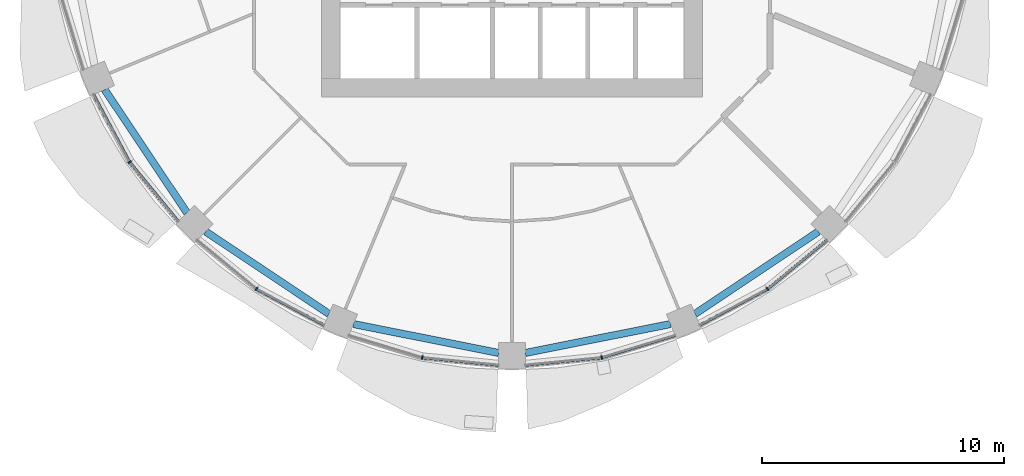
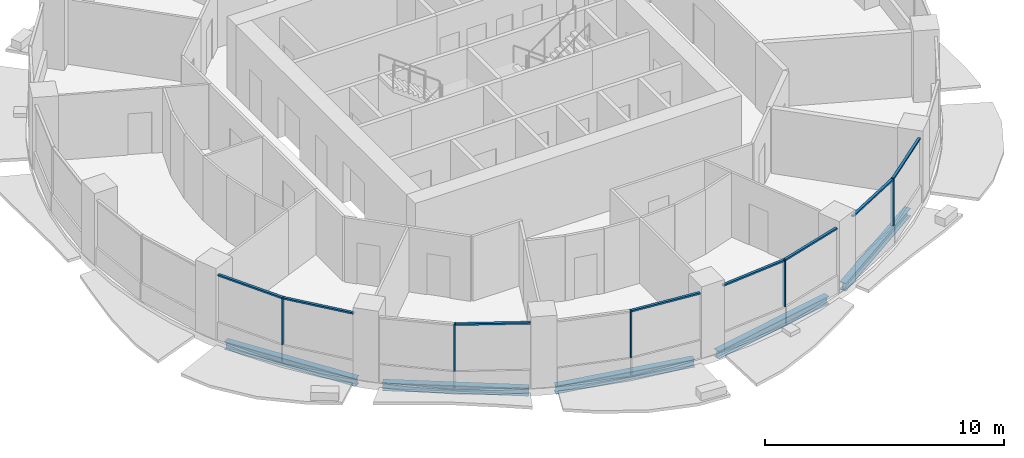
# One storey, part 2 of 14: 13 members, 5 beams, 5 elements without a shape of their own.
"""IFC4 building model written with IfcOpenShell, lengths in metres."""

from ifc_helpers import new_model, si_unit, direction, frame, origin, origin_2d, place, context, subcontext, project, spatial, rectangle, i_section, extrude, material, material_profile, profile_set, type_object, element, aggregate, save


model = new_model("IFC4")

# Units and contexts
model_context = context("Model", 3, precision=1e-05, world=origin(), true_north=direction((0.0, 1.0)))
body_context = subcontext(model_context, "Body", "Model", "MODEL_VIEW")
ifc_project = project(units=[si_unit("LENGTHUNIT", "METRE"), si_unit("AREAUNIT", "SQUARE_METRE"), si_unit("VOLUMEUNIT", "CUBIC_METRE"), si_unit("PLANEANGLEUNIT", "RADIAN"), si_unit("MASSUNIT", "GRAM", prefix="KILO")], contexts=[model_context])

# Site, building, storey
site_placement = place(None, origin())
site = spatial("IfcSite", under=ifc_project, at=site_placement, CompositionType="ELEMENT")
building_placement = place(site_placement, origin())
building = spatial("IfcBuilding", under=site, at=building_placement, Name="Polderwave Tower", CompositionType="ELEMENT")
storey_placement = place(building_placement, frame((0.0, 0.0, 112.89990234375)))
storey = spatial("IfcBuildingStorey", under=building, at=storey_placement, Name="L29", CompositionType="ELEMENT", Elevation=112.89990234375)

# Curtain wall, member
ifc_material_1 = material(Name="Aluminium 6063-T6 and glass", Category="aluminium")
curtain_wall_type = type_object("IfcCurtainWallType", Name="Growing floor ribbon glazing wall", PredefinedType="NOTDEFINED", material=ifc_material_1)
curtain_wall_1_placement = place(storey_placement, origin())
curtain_wall_1 = element("IfcCurtainWall", 1, at=curtain_wall_1_placement, inside=storey, type_object=curtain_wall_type, Name="CW2 L29 09", PredefinedType="NOTDEFINED")
ifc_material_2 = material(Name="Aluminium 6063-T6", Category="aluminium")
ifc_material_profile_1 = material_profile(ifc_material_2, rectangle(XDim=0.14990234375, YDim=0.06005859375, at=origin_2d()), Name="AL 60x150")
ifc_profile_set_1 = profile_set([ifc_material_profile_1], Name="Aluminium 6063-T6")
member_type_1 = type_object("IfcMemberType", Name="Growing floor ribbon glazing mullion 60x150", PredefinedType="MULLION", material=ifc_profile_set_1)
member_1_placement = place(storey_placement, frame((-15.822998046875, -10.572998046875, 0.900146484375), z_axis=(0.0, 0.0, 1.0), x_axis=(0.831459915646, 0.555584744817, 0.0)))
member_1 = element("IfcMember", 2, at=member_1_placement, type_object=member_type_1, Name="CW2 mullion 1", PredefinedType="MULLION", context=body_context, shape_type="SweptSolid", body=[
    extrude(rectangle(XDim=0.14990234375, YDim=0.06005859375, at=origin_2d()), origin(), (0.0, 0.0, 1.0), 2.39990234375),
])

curtain_wall_2_placement = place(storey_placement, origin())
curtain_wall_2 = element("IfcCurtainWall", 3, at=curtain_wall_2_placement, inside=storey, type_object=curtain_wall_type, Name="CW2 L29 10", PredefinedType="NOTDEFINED")
member_2_placement = place(storey_placement, frame((-10.572998046875, -15.822998046875, 0.900146484375), z_axis=(0.0, 0.0, 1.0), x_axis=(0.555584744817, 0.831459915646, 0.0)))
member_2 = element("IfcMember", 4, at=member_2_placement, type_object=member_type_1, Name="CW2 mullion 1", PredefinedType="MULLION", context=body_context, shape_type="SweptSolid", body=[
    extrude(rectangle(XDim=0.14990234375, YDim=0.06005859375, at=origin_2d()), origin(), (0.0, 0.0, 1.0), 2.39990234375),
])

curtain_wall_3_placement = place(storey_placement, origin())
curtain_wall_3 = element("IfcCurtainWall", 5, at=curtain_wall_3_placement, inside=storey, type_object=curtain_wall_type, Name="CW2 L29 11", PredefinedType="NOTDEFINED")
member_3_placement = place(storey_placement, frame((-3.712890625, -18.6640625, 0.900146484375), z_axis=(0.0, 0.0, 1.0), x_axis=(0.195092033809, 0.980784939905, 0.0)))
member_3 = element("IfcMember", 6, at=member_3_placement, type_object=member_type_1, Name="CW2 mullion 1", PredefinedType="MULLION", context=body_context, shape_type="SweptSolid", body=[
    extrude(rectangle(XDim=0.14990234375, YDim=0.06005859375, at=origin_2d()), origin(), (0.0, 0.0, 1.0), 2.39990234375),
])

curtain_wall_4_placement = place(storey_placement, origin())
curtain_wall_4 = element("IfcCurtainWall", 7, at=curtain_wall_4_placement, inside=storey, type_object=curtain_wall_type, Name="CW2 L29 12", PredefinedType="NOTDEFINED")
member_4_placement = place(storey_placement, frame((3.712890625, -18.6640625, 0.900146484375), z_axis=(0.0, 0.0, 1.0), x_axis=(-0.195092033809, 0.980784939905, 0.0)))
member_4 = element("IfcMember", 8, at=member_4_placement, type_object=member_type_1, Name="CW2 mullion 1", PredefinedType="MULLION", context=body_context, shape_type="SweptSolid", body=[
    extrude(rectangle(XDim=0.14990234375, YDim=0.06005859375, at=origin_2d()), origin(), (0.0, 0.0, 1.0), 2.39990234375),
])

curtain_wall_5_placement = place(storey_placement, origin())
curtain_wall_5 = element("IfcCurtainWall", 9, at=curtain_wall_5_placement, inside=storey, type_object=curtain_wall_type, Name="CW2 L29 13", PredefinedType="NOTDEFINED")
member_5_placement = place(storey_placement, frame((10.572998046875, -15.822998046875, 0.900146484375), z_axis=(0.0, 0.0, 1.0), x_axis=(-0.555584744817, 0.831459915646, 0.0)))
member_5 = element("IfcMember", 10, at=member_5_placement, type_object=member_type_1, Name="CW2 mullion 1", PredefinedType="MULLION", context=body_context, shape_type="SweptSolid", body=[
    extrude(rectangle(XDim=0.14990234375, YDim=0.06005859375, at=origin_2d()), origin(), (0.0, 0.0, 1.0), 2.39990234375),
])

# Member
ifc_material_profile_2 = material_profile(ifc_material_2, rectangle(XDim=0.1201171875, YDim=0.080078125, at=origin_2d()), Name="AL 80x120")
ifc_profile_set_2 = profile_set([ifc_material_profile_2], Name="Aluminium 6063-T6")
member_type_2 = type_object("IfcMemberType", Name="Growing floor ribbon glazing transom 80x120", PredefinedType="USERDEFINED", material=ifc_profile_set_2)
member_6_placement = place(storey_placement, frame((-17.321044921875, -7.77001953125, 3.260009765625), z_axis=(0.471368950997, -0.88193611562, 0.0), x_axis=(0.88193611562, 0.471368950997, 0.0)))
member_6 = element("IfcMember", 11, at=member_6_placement, type_object=member_type_2, Name="CW2 transom 1", ObjectType="TRANSOM", PredefinedType="USERDEFINED", context=body_context, shape_type="SweptSolid", body=[
    extrude(rectangle(XDim=0.1201171875, YDim=0.080078125, at=origin_2d()), origin(), (0.0, 0.0, 1.0), 3.14794921875),
])

member_7_placement = place(storey_placement, frame((-15.803955078125, -10.59619140625, 3.260009765625), z_axis=(0.634483003965, -0.77293681351, 0.0), x_axis=(0.77293681351, 0.634483003965, 0.0)))
member_7 = element("IfcMember", 12, at=member_7_placement, type_object=member_type_2, Name="CW2 transom 2", ObjectType="TRANSOM", PredefinedType="USERDEFINED", context=body_context, shape_type="SweptSolid", body=[
    extrude(rectangle(XDim=0.1201171875, YDim=0.080078125, at=origin_2d()), origin(), (0.0, 0.0, 1.0), 3.1474609375),
])

aggregate(curtain_wall_1, [member_1, member_6, member_7])

member_8_placement = place(storey_placement, frame((-10.54638671875, -15.837158203125, 3.260009765625), z_axis=(0.88193611562, -0.471368950997, 0.0), x_axis=(0.471368950997, 0.88193611562, 0.0)))
member_8 = element("IfcMember", 13, at=member_8_placement, type_object=member_type_2, Name="CW2 transom 2", ObjectType="TRANSOM", PredefinedType="USERDEFINED", context=body_context, shape_type="SweptSolid", body=[
    extrude(rectangle(XDim=0.1201171875, YDim=0.080078125, at=origin_2d()), origin(), (0.0, 0.0, 1.0), 3.14794921875),
])

aggregate(curtain_wall_2, [member_2, member_8])

member_9_placement = place(storey_placement, frame((-3.68310546875, -18.6669921875, 3.260009765625), z_axis=(0.995169132792, -0.098175338745, 0.0), x_axis=(0.098175338745, 0.995169132792, 0.0)))
member_9 = element("IfcMember", 14, at=member_9_placement, type_object=member_type_2, Name="CW2 transom 2", ObjectType="TRANSOM", PredefinedType="USERDEFINED", context=body_context, shape_type="SweptSolid", body=[
    extrude(rectangle(XDim=0.1201171875, YDim=0.080078125, at=origin_2d()), origin(), (0.0, 0.0, 1.0), 3.148193359375),
])

aggregate(curtain_wall_3, [member_3, member_9])

member_10_placement = place(storey_placement, frame((0.550048828125, -18.97607421875, 3.260009765625), z_axis=(0.995169132792, 0.098175338745, 0.0), x_axis=(-0.098175338745, 0.995169132792, 0.0)))
member_10 = element("IfcMember", 15, at=member_10_placement, type_object=member_type_2, Name="CW2 transom 1", ObjectType="TRANSOM", PredefinedType="USERDEFINED", context=body_context, shape_type="SweptSolid", body=[
    extrude(rectangle(XDim=0.1201171875, YDim=0.080078125, at=origin_2d()), origin(), (0.0, 0.0, 1.0), 3.148193359375),
])

member_11_placement = place(storey_placement, frame((3.74169921875, -18.6552734375, 3.260009765625), z_axis=(0.956976770627, 0.290164540356, 0.0), x_axis=(-0.290164540356, 0.956976770627, 0.0)))
member_11 = element("IfcMember", 16, at=member_11_placement, type_object=member_type_2, Name="CW2 transom 2", ObjectType="TRANSOM", PredefinedType="USERDEFINED", context=body_context, shape_type="SweptSolid", body=[
    extrude(rectangle(XDim=0.1201171875, YDim=0.080078125, at=origin_2d()), origin(), (0.0, 0.0, 1.0), 3.147705078125),
])

aggregate(curtain_wall_4, [member_4, member_10, member_11])

member_12_placement = place(storey_placement, frame((7.77001953125, -17.321044921875, 3.260009765625), z_axis=(0.88193611562, 0.471368950997, 0.0), x_axis=(-0.471368950997, 0.88193611562, 0.0)))
member_12 = element("IfcMember", 17, at=member_12_placement, type_object=member_type_2, Name="CW2 transom 1", ObjectType="TRANSOM", PredefinedType="USERDEFINED", context=body_context, shape_type="SweptSolid", body=[
    extrude(rectangle(XDim=0.1201171875, YDim=0.080078125, at=origin_2d()), origin(), (0.0, 0.0, 1.0), 3.14794921875),
])

member_13_placement = place(storey_placement, frame((10.59619140625, -15.803955078125, 3.260009765625), z_axis=(0.77293681351, 0.634483003965, 0.0), x_axis=(-0.634483003965, 0.77293681351, 0.0)))
member_13 = element("IfcMember", 18, at=member_13_placement, type_object=member_type_2, Name="CW2 transom 2", ObjectType="TRANSOM", PredefinedType="USERDEFINED", context=body_context, shape_type="SweptSolid", body=[
    extrude(rectangle(XDim=0.1201171875, YDim=0.080078125, at=origin_2d()), origin(), (0.0, 0.0, 1.0), 3.1474609375),
])

aggregate(curtain_wall_5, [member_5, member_12, member_13])

# Beams
ifc_material_3 = material(Name="Steel S355", Category="steel")
ifc_material_profile_3 = material_profile(ifc_material_3, i_section(OverallWidth=0.300048828125, OverallDepth=0.39990234375, WebThickness=0.013427734375, FlangeThickness=0.02392578125, at=origin_2d()), Name="HE 400 B")
ifc_profile_set_3 = profile_set([ifc_material_profile_3], Name="Steel S355")
beam_type = type_object("IfcBeamType", Name="RING BEAM HE 400 B", PredefinedType="BEAM", material=ifc_profile_set_3)
for number, where, z_axis, x_axis, name in (
    (19, (-16.854248046875, -7.576416015625, -0.5498046875), (0.555554909675, -0.83147985083, 0.0), (0.83147985083, 0.555554909675, 0.0), "ST-RB-L29-09"),
    (20, (-12.671875, -13.44970703125, -0.5498046875), (0.83147985083, -0.555554909675, 0.0), (0.555554909675, 0.83147985083, 0.0), "ST-RB-L29-10"),
):
    element("IfcBeam", number, at=place(storey_placement, frame(where, z_axis=z_axis, x_axis=x_axis)), inside=storey, type_object=beam_type, Name=name, PredefinedType="BEAM", context=body_context, shape_type="SweptSolid", body=[
        extrude(i_section(OverallWidth=0.300048828125, OverallDepth=0.39990234375, WebThickness=0.013427734375, FlangeThickness=0.02392578125, at=origin_2d()), origin(), (0.0, 0.0, 1.0), 6.128173828125),
    ])
for number, where, z_axis, x_axis, name in (
    (21, (-6.560302734375, -17.275146484375, -0.5498046875), (0.980783943751, -0.195097041699, 0.0), (0.195097041699, 0.980783943751, 0.0), "ST-RB-L29-11"),
    (22, (0.550048828125, -18.470703125, -0.5498046875), (0.980783943751, 0.195097041699, 0.0), (-0.195097041699, 0.980783943751, 0.0), "ST-RB-L29-12"),
):
    element("IfcBeam", number, at=place(storey_placement, frame(where, z_axis=z_axis, x_axis=x_axis)), inside=storey, type_object=beam_type, Name=name, PredefinedType="BEAM", context=body_context, shape_type="SweptSolid", body=[
        extrude(i_section(OverallWidth=0.300048828125, OverallDepth=0.39990234375, WebThickness=0.013427734375, FlangeThickness=0.02392578125, at=origin_2d()), origin(), (0.0, 0.0, 1.0), 6.1279296875),
    ])
beam_placement = place(storey_placement, frame((7.576416015625, -16.854248046875, -0.5498046875), z_axis=(0.83147985083, 0.555554909675, 0.0), x_axis=(-0.555554909675, 0.83147985083, 0.0)))
element("IfcBeam", 23, at=beam_placement, inside=storey, type_object=beam_type, Name="ST-RB-L29-13", PredefinedType="BEAM", context=body_context, shape_type="SweptSolid", body=[
    extrude(i_section(OverallWidth=0.300048828125, OverallDepth=0.39990234375, WebThickness=0.013427734375, FlangeThickness=0.02392578125, at=origin_2d()), origin(), (0.0, 0.0, 1.0), 6.128173828125),
])

save(model, "model.ifc")
